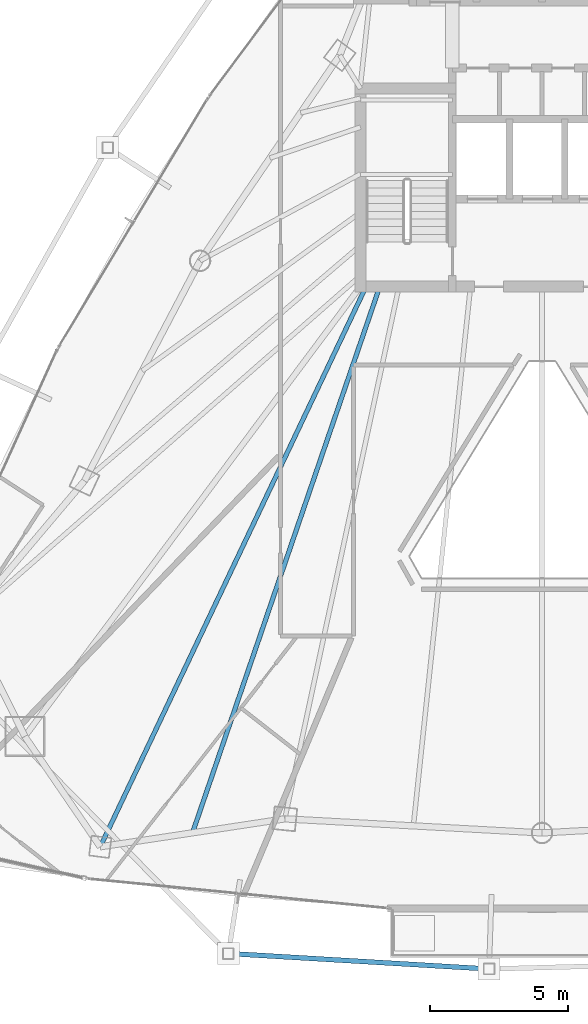
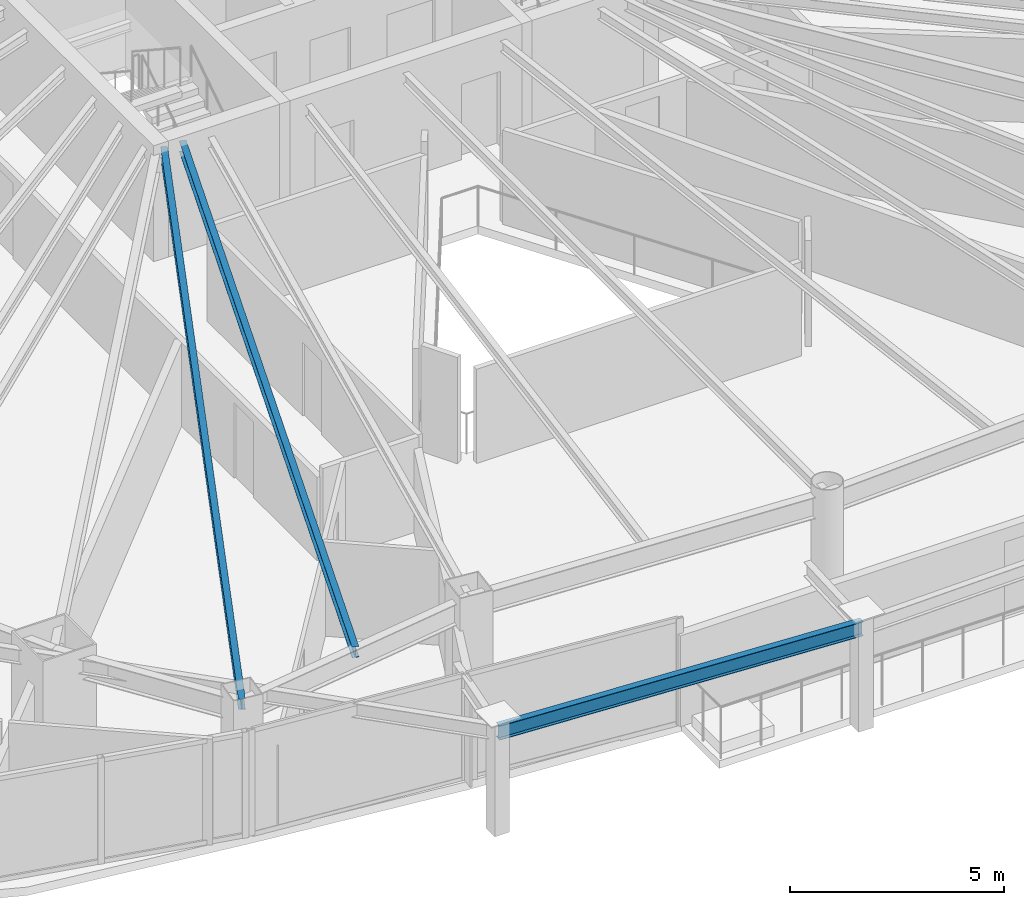
# One storey, part 6 of 31: 3 beams.
"""IFC4 building model written with IfcOpenShell, lengths in metres."""

from ifc_helpers import new_model, si_unit, direction, frame, origin, origin_2d, place, context, subcontext, project, spatial, i_section, extrude, material, material_profile, profile_set, type_object, element, save


model = new_model("IFC4")

# Units and contexts
model_context = context("Model", 3, precision=1e-05, world=origin(), true_north=direction((0.0, 1.0)))
body_context = subcontext(model_context, "Body", "Model", "MODEL_VIEW")
ifc_project = project(units=[si_unit("LENGTHUNIT", "METRE"), si_unit("AREAUNIT", "SQUARE_METRE"), si_unit("VOLUMEUNIT", "CUBIC_METRE"), si_unit("PLANEANGLEUNIT", "RADIAN"), si_unit("MASSUNIT", "GRAM", prefix="KILO")], contexts=[model_context])

# Site, building, storey
site_placement = place(None, origin())
site = spatial("IfcSite", under=ifc_project, at=site_placement, CompositionType="ELEMENT")
building_placement = place(site_placement, origin())
building = spatial("IfcBuilding", under=site, at=building_placement, Name="Orvanel Arch Residences", CompositionType="ELEMENT")
storey_placement = place(building_placement, frame((0.0, 0.0, 183.64990234375)))
storey = spatial("IfcBuildingStorey", under=building, at=storey_placement, Name="L52", CompositionType="ELEMENT", Elevation=183.64990234375)

# Beams
ifc_material = material(Name="Structural steel AS/NZS 3679.1 Grade 300 (300 MPa)", Category="steel")
ifc_material_profile_1 = material_profile(ifc_material, i_section(OverallWidth=0.1650390625, OverallDepth=0.303955078125, WebThickness=0.006103515625, FlangeThickness=0.01025390625, at=origin_2d()), Name="310UB40.4")
ifc_profile_set_1 = profile_set([ifc_material_profile_1], Name="Structural steel AS/NZS 3679.1 Grade 300 (300 MPa)")
beam_type_1 = type_object("IfcBeamType", Name="BJ-310UB", PredefinedType="JOIST", material=ifc_profile_set_1)
beam_1_placement = place(storey_placement, frame((26.60009765625, 26.699951171875, 2.8681640625), z_axis=(-0.428614365266, -0.903487534993, 0.0), x_axis=(0.903487534993, -0.428614365266, 0.0)))
element("IfcBeam", 1, at=beam_1_placement, inside=storey, type_object=beam_type_1, Name="L52 MSW Wing Floor Joist", PredefinedType="JOIST", context=body_context, shape_type="SweptSolid", body=[
    extrude(i_section(OverallWidth=0.1650390625, OverallDepth=0.303955078125, WebThickness=0.006103515625, FlangeThickness=0.01025390625, at=origin_2d()), origin(), (0.0, 0.0, 1.0), 22.535888671875),
])
beam_2_placement = place(storey_placement, frame((27.10009765625, 26.699951171875, 2.8681640625), z_axis=(-0.324257108963, -0.945968988544, 0.0), x_axis=(0.945968988544, -0.324257108963, 0.0)))
element("IfcBeam", 2, at=beam_2_placement, inside=storey, type_object=beam_type_1, Name="L52 JADD1 Wing Floor Joist", PredefinedType="JOIST", context=body_context, shape_type="SweptSolid", body=[
    extrude(i_section(OverallWidth=0.1650390625, OverallDepth=0.303955078125, WebThickness=0.006103515625, FlangeThickness=0.01025390625, at=origin_2d()), origin(), (0.0, 0.0, 1.0), 20.987060546875),
])
ifc_material_profile_2 = material_profile(ifc_material, i_section(OverallWidth=0.177978515625, OverallDepth=0.406005859375, WebThickness=0.0078125, FlangeThickness=0.0126953125, at=origin_2d()), Name="410UB59.7")
ifc_profile_set_2 = profile_set([ifc_material_profile_2], Name="Structural steel AS/NZS 3679.1 Grade 300 (300 MPa)")
beam_type_2 = type_object("IfcBeamType", Name="OB-410UB-EXT", PredefinedType="SPANDREL", material=ifc_profile_set_2)
beam_3_placement = place(storey_placement, frame((21.59912109375, 2.4599609375, 2.817138671875), z_axis=(0.998239339753, -0.05931458985, 0.0), x_axis=(0.05931458985, 0.998239339753, 0.0)))
element("IfcBeam", 3, at=beam_3_placement, inside=storey, type_object=beam_type_2, Name="L52 Outer Perimeter Floor Ring Beam 05", PredefinedType="SPANDREL", context=body_context, shape_type="SweptSolid", body=[
    extrude(i_section(OverallWidth=0.177978515625, OverallDepth=0.406005859375, WebThickness=0.0078125, FlangeThickness=0.0126953125, at=origin_2d()), origin(), (0.0, 0.0, 1.0), 9.491455078125),
])

save(model, "model.ifc")
